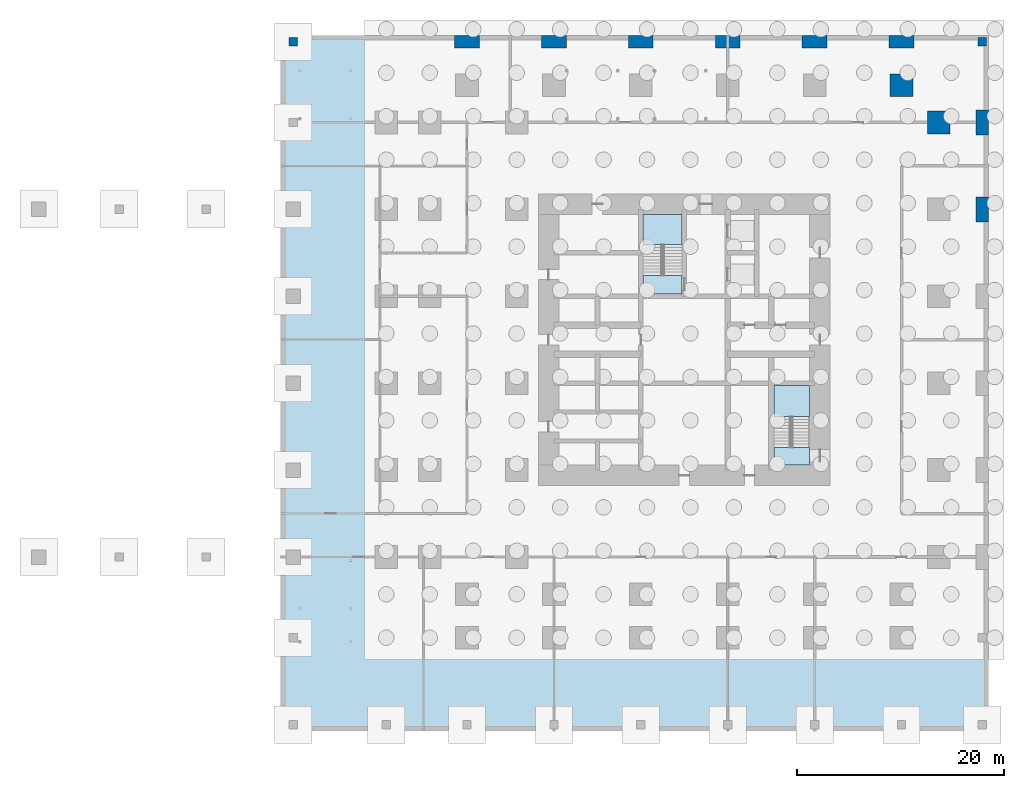
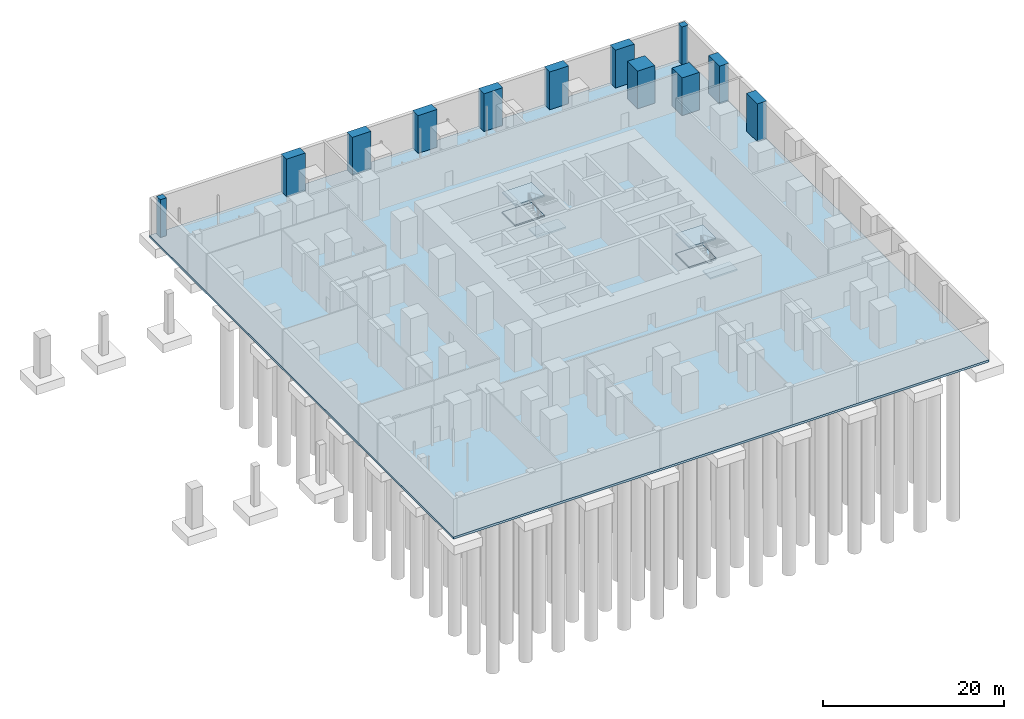
# One storey, part 11 of 18: 12 columns, 7 slabs, 2 elements without a shape of their own.
"""IFC4 building model written with IfcOpenShell, lengths in metres."""

from ifc_helpers import new_model, si_unit, direction, frame, origin, origin_2d, place, context, subcontext, project, spatial, polyline, rectangle, outline, extrude, material, layer, layer_set, material_profile, profile_set, type_object, element, aggregate, save


model = new_model("IFC4")

# Units and contexts
model_context = context("Model", 3, precision=1e-05, world=origin(), true_north=direction((0.0, 1.0)))
body_context = subcontext(model_context, "Body", "Model", "MODEL_VIEW")
ifc_project = project(units=[si_unit("LENGTHUNIT", "METRE"), si_unit("AREAUNIT", "SQUARE_METRE"), si_unit("VOLUMEUNIT", "CUBIC_METRE"), si_unit("PLANEANGLEUNIT", "RADIAN"), si_unit("MASSUNIT", "GRAM", prefix="KILO")], contexts=[model_context])

# Site, building, storey
site_placement = place(None, origin())
site = spatial("IfcSite", under=ifc_project, at=site_placement, CompositionType="ELEMENT")
building_placement = place(site_placement, origin())
building = spatial("IfcBuilding", under=site, at=building_placement, Name="Dunama Terrace Hotel", CompositionType="ELEMENT")
storey_placement = place(building_placement, frame((0.0, 0.0, -5.39990234375)))
storey = spatial("IfcBuildingStorey", under=building, at=storey_placement, Name="B1", CompositionType="ELEMENT", Elevation=-5.39990234375)

# Columns
ifc_material_1 = material(Name="Concrete C60/75", Category="concrete")
ifc_material_profile_1 = material_profile(ifc_material_1, rectangle(XDim=1.199951171875, YDim=2.39990234375, at=origin_2d()), Name="RC 1200x2400")
ifc_profile_set_1 = profile_set([ifc_material_profile_1], Name="Concrete C60/75")
column_type_1 = type_object("IfcColumnType", Name="Column RC 1200x2400", PredefinedType="COLUMN", material=ifc_profile_set_1)
for number, where, z_axis, x_axis, name in (
    (1, (58.199951171875, 42.0, 0.0), (0.0, 0.0, 1.0), (1.0, 0.0, 0.0), "Column B1 +58.2/+42.0"),
    (2, (58.199951171875, 50.39990234375, 0.0), (0.0, 0.0, 1.0), (1.0, 0.0, 0.0), "Column B1 +58.2/+50.4"),
):
    element("IfcColumn", number, at=place(storey_placement, frame(where, z_axis=z_axis, x_axis=x_axis)), inside=storey, type_object=column_type_1, Name=name, PredefinedType="COLUMN", context=body_context, shape_type="SweptSolid", body=[
        extrude(rectangle(XDim=1.199951171875, YDim=2.39990234375, at=origin_2d()), origin(), (0.0, 0.0, 1.0), 5.099853515625),
    ])
ifc_material_2 = material(Name="Concrete C60/75", Category="concrete")
ifc_material_profile_2 = material_profile(ifc_material_2, rectangle(XDim=2.199951171875, YDim=2.199951171875, at=origin_2d()), Name="RC 2200x2200")
ifc_profile_set_2 = profile_set([ifc_material_profile_2], Name="Concrete C60/75")
column_type_2 = type_object("IfcColumnType", Name="Column RC 2200x2200", PredefinedType="COLUMN", material=ifc_profile_set_2)
for number, where, z_axis, x_axis, name in (
    (3, (50.39990234375, 54.0, 0.0), (0.0, 0.0, 1.0), (1.0, 0.0, 0.0), "Column B1 +50.4/+54.0"),
    (4, (54.0, 50.39990234375, 0.0), (0.0, 0.0, 1.0), (1.0, 0.0, 0.0), "Column B1 +54.0/+50.4"),
):
    element("IfcColumn", number, at=place(storey_placement, frame(where, z_axis=z_axis, x_axis=x_axis)), inside=storey, type_object=column_type_2, Name=name, PredefinedType="COLUMN", context=body_context, shape_type="SweptSolid", body=[
        extrude(rectangle(XDim=2.199951171875, YDim=2.199951171875, at=origin_2d()), origin(), (0.0, 0.0, 1.0), 5.099853515625),
    ])
ifc_material_3 = material(Name="Concrete C60/75", Category="concrete")
ifc_material_profile_3 = material_profile(ifc_material_3, rectangle(XDim=2.39990234375, YDim=1.199951171875, at=origin_2d()), Name="RC 2400x1200")
ifc_profile_set_3 = profile_set([ifc_material_profile_3], Name="Concrete C60/75")
column_type_3 = type_object("IfcColumnType", Name="Column RC 2400x1200", PredefinedType="COLUMN", material=ifc_profile_set_3)
for number, where, z_axis, x_axis, name in (
    (5, (8.39990234375, 58.199951171875, 0.0), (0.0, 0.0, 1.0), (1.0, 0.0, 0.0), "Column B1 +8.4/+58.2"),
    (6, (16.800048828125, 58.199951171875, 0.0), (0.0, 0.0, 1.0), (1.0, 0.0, 0.0), "Column B1 +16.8/+58.2"),
    (7, (25.199951171875, 58.199951171875, 0.0), (0.0, 0.0, 1.0), (1.0, 0.0, 0.0), "Column B1 +25.2/+58.2"),
    (8, (33.60009765625, 58.199951171875, 0.0), (0.0, 0.0, 1.0), (1.0, 0.0, 0.0), "Column B1 +33.6/+58.2"),
    (9, (42.0, 58.199951171875, 0.0), (0.0, 0.0, 1.0), (1.0, 0.0, 0.0), "Column B1 +42.0/+58.2"),
    (10, (50.39990234375, 58.199951171875, 0.0), (0.0, 0.0, 1.0), (1.0, 0.0, 0.0), "Column B1 +50.4/+58.2"),
):
    element("IfcColumn", number, at=place(storey_placement, frame(where, z_axis=z_axis, x_axis=x_axis)), inside=storey, type_object=column_type_3, Name=name, PredefinedType="COLUMN", context=body_context, shape_type="SweptSolid", body=[
        extrude(rectangle(XDim=2.39990234375, YDim=1.199951171875, at=origin_2d()), origin(), (0.0, 0.0, 1.0), 5.099853515625),
    ])
ifc_material_4 = material(Name="Concrete C40/50", Category="concrete")
ifc_material_profile_4 = material_profile(ifc_material_4, rectangle(XDim=0.800048828125, YDim=0.800048828125, at=origin_2d()), Name="RC 800x800")
ifc_profile_set_4 = profile_set([ifc_material_profile_4], Name="Concrete C40/50")
column_type_4 = type_object("IfcColumnType", Name="Column RC 800x800", PredefinedType="COLUMN", material=ifc_profile_set_4)
for number, where, z_axis, x_axis, name in (
    (11, (-8.39990234375, 58.199951171875, -0.300048828125), (0.0, 0.0, 1.0), (1.0, 0.0, 0.0), "Column B1 -8.4/+58.2"),
    (12, (58.199951171875, 58.199951171875, -0.300048828125), (0.0, 0.0, 1.0), (1.0, 0.0, 0.0), "Column B1 +58.2/+58.2"),
):
    element("IfcColumn", number, at=place(storey_placement, frame(where, z_axis=z_axis, x_axis=x_axis)), inside=storey, type_object=column_type_4, Name=name, PredefinedType="COLUMN", context=body_context, shape_type="SweptSolid", body=[
        extrude(rectangle(XDim=0.800048828125, YDim=0.800048828125, at=origin_2d()), origin(), (0.0, 0.0, 1.0), 5.39990234375),
    ])

# Slab
ifc_material_5 = material(Name="Concrete C40/50", Category="concrete")
ifc_layer_1 = layer(ifc_material_5, 0.300048828125)
ifc_layer_set_1 = layer_set([ifc_layer_1], Name="Basement slab 300")
slab_type_1 = type_object("IfcSlabType", Name="Basement slab 300", PredefinedType="BASESLAB", material=ifc_layer_set_1)
slab_1_placement = place(storey_placement, frame((0.0, 0.0, -0.300048828125)))
element("IfcSlab", 13, at=slab_1_placement, inside=storey, type_object=slab_type_1, Name="Basement slab 1", PredefinedType="BASESLAB", context=body_context, shape_type="SweptSolid", body=[
    extrude(outline(polyline([(-9.60009765625, -8.39990234375), (58.800048828125, -8.39990234375), (58.800048828125, 58.800048828125), (-9.60009765625, 58.800048828125), (-9.60009765625, -8.39990234375)])), origin(), (0.0, 0.0, 1.0), 0.300048828125),
])

# Stair, slabs
ifc_material_6 = material(Name="Concrete C40/50", Category="concrete")
stair_type_1 = type_object("IfcStairType", Name="Stair ST1-5400-1800", PredefinedType="HALF_TURN_STAIR", material=ifc_material_6)
stair_1_placement = place(storey_placement, origin())
stair_1 = element("IfcStair", 14, at=stair_1_placement, inside=storey, type_object=stair_type_1, Name="Stair ST1 B1", PredefinedType="HALF_TURN_STAIR")
ifc_material_7 = material(Name="Concrete C40/50", Category="concrete")
ifc_layer_2 = layer(ifc_material_7, 0.199951171875)
ifc_layer_set_2 = layer_set([ifc_layer_2], Name="Stair landing 200")
slab_type_2 = type_object("IfcSlabType", Name="Stair landing 200", PredefinedType="LANDING", material=ifc_layer_set_2)
slab_2_placement = place(storey_placement, frame((0.0, 0.0, 1.14990234375)))
slab_2 = element("IfcSlab", 15, at=slab_2_placement, type_object=slab_type_2, Name="ST1 landing 1, type S10", PredefinedType="LANDING", context=body_context, shape_type="SweptSolid", body=[
    extrude(outline(polyline([(25.425048828125, 38.625), (29.175048828125, 38.625), (29.175048828125, 41.5), (25.425048828125, 41.5), (25.425048828125, 38.625)])), origin(), (0.0, 0.0, 1.0), 0.199951171875),
])
slab_3_placement = place(storey_placement, frame((0.0, 0.0, 2.5)))
slab_3 = element("IfcSlab", 16, at=slab_3_placement, type_object=slab_type_2, Name="ST1 landing 2, type S10", PredefinedType="LANDING", context=body_context, shape_type="SweptSolid", body=[
    extrude(outline(polyline([(25.425048828125, 33.824951171875), (29.175048828125, 33.824951171875), (29.175048828125, 35.625), (25.425048828125, 35.625), (25.425048828125, 33.824951171875)])), origin(), (0.0, 0.0, 1.0), 0.199951171875),
])
slab_4_placement = place(storey_placement, frame((0.0, 0.0, 3.849853515625)))
slab_4 = element("IfcSlab", 17, at=slab_4_placement, type_object=slab_type_2, Name="ST1 landing 3, type S10", PredefinedType="LANDING", context=body_context, shape_type="SweptSolid", body=[
    extrude(outline(polyline([(25.425048828125, 38.625), (29.175048828125, 38.625), (29.175048828125, 41.5), (25.425048828125, 41.5), (25.425048828125, 38.625)])), origin(), (0.0, 0.0, 1.0), 0.199951171875),
])
aggregate(stair_1, [slab_2, slab_3, slab_4])

ifc_material_8 = material(Name="Concrete C40/50", Category="concrete")
stair_type_2 = type_object("IfcStairType", Name="Stair ST2-5400-1600", PredefinedType="HALF_TURN_STAIR", material=ifc_material_8)
stair_2_placement = place(storey_placement, origin())
stair_2 = element("IfcStair", 18, at=stair_2_placement, inside=storey, type_object=stair_type_2, Name="Stair ST2 B1", PredefinedType="HALF_TURN_STAIR")
slab_5_placement = place(storey_placement, frame((0.0, 0.0, 1.14990234375)))
slab_5 = element("IfcSlab", 19, at=slab_5_placement, type_object=slab_type_2, Name="ST2 landing 1, type S10", PredefinedType="LANDING", context=body_context, shape_type="SweptSolid", body=[
    extrude(outline(polyline([(38.050048828125, 22.0), (41.5, 22.0), (41.5, 24.97509765625), (38.050048828125, 24.97509765625), (38.050048828125, 22.0)])), origin(), (0.0, 0.0, 1.0), 0.199951171875),
])
slab_6_placement = place(storey_placement, frame((0.0, 0.0, 2.5)))
slab_6 = element("IfcSlab", 20, at=slab_6_placement, type_object=slab_type_2, Name="ST2 landing 2, type S10", PredefinedType="LANDING", context=body_context, shape_type="SweptSolid", body=[
    extrude(outline(polyline([(38.050048828125, 17.300048828125), (41.5, 17.300048828125), (41.5, 19.0), (38.050048828125, 19.0), (38.050048828125, 17.300048828125)])), origin(), (0.0, 0.0, 1.0), 0.199951171875),
])
slab_7_placement = place(storey_placement, frame((0.0, 0.0, 3.849853515625)))
slab_7 = element("IfcSlab", 21, at=slab_7_placement, type_object=slab_type_2, Name="ST2 landing 3, type S10", PredefinedType="LANDING", context=body_context, shape_type="SweptSolid", body=[
    extrude(outline(polyline([(38.050048828125, 22.0), (41.5, 22.0), (41.5, 24.97509765625), (38.050048828125, 24.97509765625), (38.050048828125, 22.0)])), origin(), (0.0, 0.0, 1.0), 0.199951171875),
])
aggregate(stair_2, [slab_5, slab_6, slab_7])

save(model, "model.ifc")
